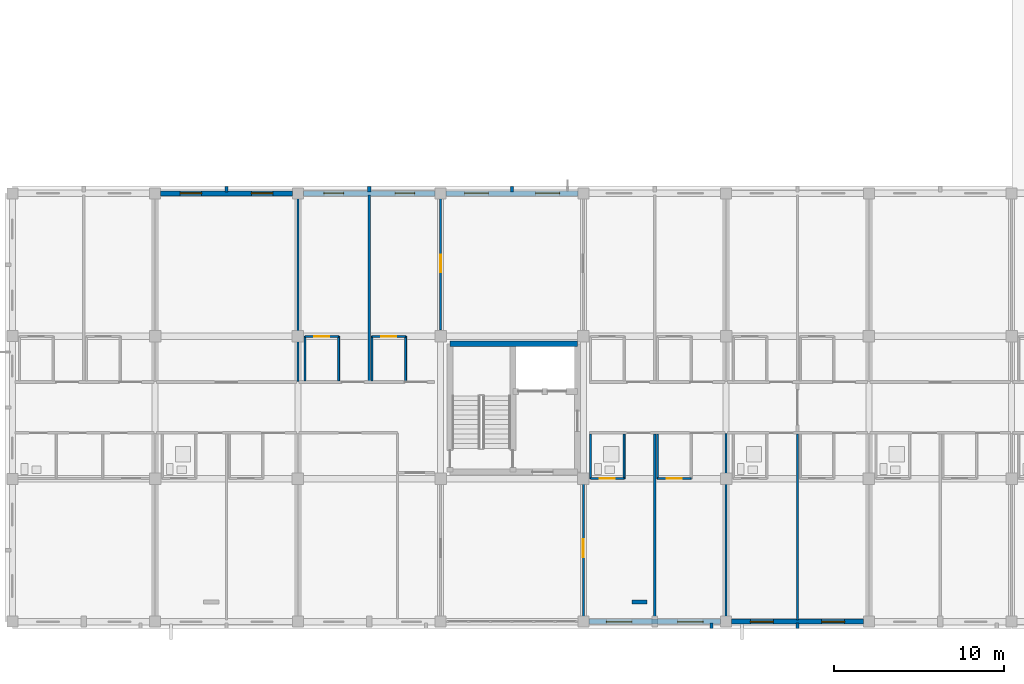
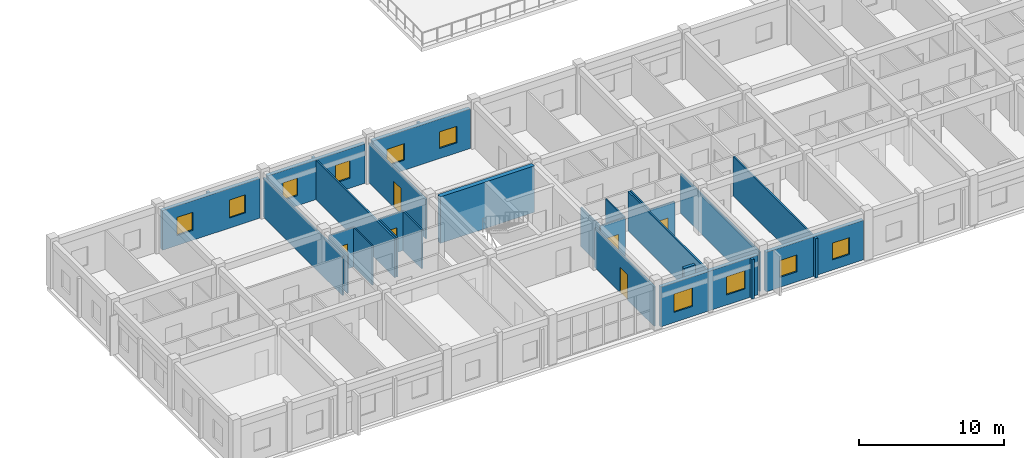
# One storey, part 61 of 90: 30 walls, 10 windows, 6 doors, 16 openings.
"""IFC4 building model written with IfcOpenShell, lengths in metres."""

from ifc_helpers import new_model, si_unit, direction, frame, frame_2d, origin, place, context, subcontext, project, spatial, rectangle, extrude, material, layer, layer_set, type_object, element, fill, save


model = new_model("IFC4")

# Units and contexts
model_context = context("Model", 3, precision=1e-05, world=origin(), true_north=direction((0.0, 1.0)))
body_context = subcontext(model_context, "Body", "Model", "MODEL_VIEW")
ifc_project = project(units=[si_unit("LENGTHUNIT", "METRE"), si_unit("AREAUNIT", "SQUARE_METRE"), si_unit("VOLUMEUNIT", "CUBIC_METRE"), si_unit("PLANEANGLEUNIT", "RADIAN"), si_unit("MASSUNIT", "GRAM", prefix="KILO")], contexts=[model_context])

# Site, building, storey
site_placement = place(None, origin())
site = spatial("IfcSite", under=ifc_project, at=site_placement, CompositionType="ELEMENT")
building_placement = place(site_placement, origin())
building = spatial("IfcBuilding", under=site, at=building_placement, Name="Trelvath General Hospital", CompositionType="ELEMENT")
storey_placement = place(building_placement, frame((0.0, 0.0, 20.39990234375)))
storey = spatial("IfcBuildingStorey", under=building, at=storey_placement, Name="L05", CompositionType="ELEMENT", Elevation=20.39990234375)

# Walls
ifc_material_1 = material(Name="Precast concrete C40/50", Category="concrete")
ifc_layer_1 = layer(ifc_material_1, 0.199951171875)
ifc_layer_set_1 = layer_set([ifc_layer_1], Name="Precast concrete C40/50")
wall_type_1 = type_object("IfcWallType", Name="BriseSoleilRib 200", PredefinedType="ELEMENTEDWALL", material=ifc_layer_set_1)
for number, where, z_axis, x_axis, name in (
    (1, (29.39990234375, 25.27490234375, 0.0), (0.0, 0.0, 1.0), (0.0, 1.0, 0.0), "Precast Concrete Brise-Soleil Rib Fin L05-363"),
    (2, (37.800048828125, 25.27490234375, 0.0), (0.0, 0.0, 1.0), (0.0, 1.0, 0.0), "Precast Concrete Brise-Soleil Rib Fin L05-365"),
    (3, (46.199951171875, 25.27490234375, 0.0), (0.0, 0.0, 1.0), (0.0, 1.0, 0.0), "Precast Concrete Brise-Soleil Rib Fin L05-368"),
    (4, (57.936767578125, -0.074951171875, 0.0), (0.0, 0.0, 1.0), (0.0, -1.0, 0.0), "Precast Concrete Brise-Soleil Rib Fin L05-370"),
    (5, (63.0, -0.074951171875, 0.0), (0.0, 0.0, 1.0), (0.0, -1.0, 0.0), "Precast Concrete Brise-Soleil Rib Fin L05-374"),
):
    element("IfcWall", number, at=place(storey_placement, frame(where, z_axis=z_axis, x_axis=x_axis)), inside=storey, type_object=wall_type_1, Name=name, PredefinedType="ELEMENTEDWALL", context=body_context, shape_type="SweptSolid", body=[
        extrude(rectangle(XDim=0.340087890625, YDim=0.199951171875, at=frame_2d((0.169921875, 0.0))), origin(), (0.0, 0.0, 1.0), 3.320068359375),
    ])
ifc_material_2 = material(Name="Concrete C40/50", Category="concrete")
ifc_layer_2 = layer(ifc_material_2, 0.35009765625)
ifc_layer_set_2 = layer_set([ifc_layer_2], Name="Concrete C40/50")
wall_type_2 = type_object("IfcWallType", Name="CoreShearWall 350", PredefinedType="SHEAR", material=ifc_layer_set_2)
wall_1_placement = place(storey_placement, frame((42.550048828125, 16.35009765625, 0.0), z_axis=(0.0, 0.0, 1.0), x_axis=(1.0, 0.0, 0.0)))
element("IfcWall", 6, at=wall_1_placement, inside=storey, type_object=wall_type_2, Name="Core Shear Wall C4 N L05", PredefinedType="SHEAR", context=body_context, shape_type="SweptSolid", body=[
    extrude(rectangle(XDim=7.5, YDim=0.35009765625, at=frame_2d((3.75, 0.0))), origin(), (0.0, 0.0, 1.0), 3.920166015625),
])
ifc_material_3 = material(Name="Moisture-resistant tile partition")
ifc_layer_3 = layer(ifc_material_3, 0.110107421875)
ifc_layer_set_3 = layer_set([ifc_layer_3], Name="Moisture-resistant tile partition")
wall_type_3 = type_object("IfcWallType", Name="EnSuiteWetWall 110", PredefinedType="PARTITIONING", material=ifc_layer_set_3)
for number, where, z_axis, x_axis, name in (
    (7, (34.02001953125, 14.169921875, 0.0), (0.0, 0.0, 1.0), (0.0, 1.0, 0.0), "En-Suite W Wall N L05-1749"),
    (8, (36.0, 14.169921875, 0.0), (0.0, 0.0, 1.0), (0.0, 1.0, 0.0), "En-Suite E Wall N L05-1750"),
):
    element("IfcWall", number, at=place(storey_placement, frame(where, z_axis=z_axis, x_axis=x_axis)), inside=storey, type_object=wall_type_3, Name=name, PredefinedType="PARTITIONING", context=body_context, shape_type="SweptSolid", body=[
        extrude(rectangle(XDim=2.610107421875, YDim=0.110107421875, at=frame_2d((1.30517578125, 0.0))), origin(), (0.0, 0.0, 1.0), 3.320068359375),
    ])

# Wall, opening, door
wall_2_placement = place(storey_placement, frame((34.02001953125, 16.780029296875, 0.0), z_axis=(0.0, 0.0, 1.0), x_axis=(1.0, 0.0, 0.0)))
wall_2 = element("IfcWall", 9, at=wall_2_placement, inside=storey, type_object=wall_type_3, Name="En-Suite Bathroom N Partition L05-1751", PredefinedType="PARTITIONING", context=body_context, shape_type="SweptSolid", body=[
    extrude(rectangle(XDim=1.97998046875, YDim=0.110107421875, at=frame_2d((0.989990234375, 0.0))), origin(), (0.0, 0.0, 1.0), 3.320068359375),
])
opening_1_placement = place(wall_2_placement, frame((0.5400390625, 0.0, 0.0)))
opening_1 = element("IfcOpeningElement", 10, at=opening_1_placement, cuts=wall_2, Name="Opening D-5-1166", PredefinedType="OPENING", context=body_context, shape_type="SweptSolid", body=[
    extrude(rectangle(XDim=0.89990234375, YDim=2.10009765625, at=frame_2d((0.449951171875, 1.050048828125))), frame((0.0, 0.06494140625, 0.0), z_axis=(0.0, -1.0, 0.0), x_axis=(1.0, 0.0, 0.0)), (0.0, 0.0, 1.0), 0.130126953125),
])
ifc_material_4 = material(Name="Moisture-sealed timber leaf", Category="wood")
door_type_1 = type_object("IfcDoorType", Name="Door EnSuite 900x2100", OperationType="NOTDEFINED", PredefinedType="DOOR", material=ifc_material_4)
door_1_placement = place(opening_1_placement, origin())
door_1 = element("IfcDoor", 11, at=door_1_placement, inside=storey, type_object=door_type_1, Name="En-Suite Bathroom N Door L05-1166", OperationType="SINGLE_SWING_RIGHT", OverallHeight=2.10009765625, OverallWidth=0.89990234375, PredefinedType="DOOR", context=body_context, shape_type="SweptSolid", body=[
    extrude(rectangle(XDim=0.89990234375, YDim=2.10009765625, at=frame_2d((0.449951171875, 1.050048828125))), frame((0.0, 0.02490234375, 0.0), z_axis=(0.0, -1.0, 0.0), x_axis=(1.0, 0.0, 0.0)), (0.0, 0.0, 1.0), 0.050048828125),
])
fill(opening_1, door_1)

# Walls
for number, where, z_axis, x_axis, name in (
    (12, (37.9599609375, 14.169921875, 0.0), (0.0, 0.0, 1.0), (0.0, 1.0, 0.0), "En-Suite W Wall N L05-1752"),
    (13, (39.93994140625, 14.169921875, 0.0), (0.0, 0.0, 1.0), (0.0, 1.0, 0.0), "En-Suite E Wall N L05-1753"),
):
    element("IfcWall", number, at=place(storey_placement, frame(where, z_axis=z_axis, x_axis=x_axis)), inside=storey, type_object=wall_type_3, Name=name, PredefinedType="PARTITIONING", context=body_context, shape_type="SweptSolid", body=[
        extrude(rectangle(XDim=2.610107421875, YDim=0.110107421875, at=frame_2d((1.30517578125, 0.0))), origin(), (0.0, 0.0, 1.0), 3.320068359375),
    ])

# Wall, opening, door
wall_3_placement = place(storey_placement, frame((37.9599609375, 16.780029296875, 0.0), z_axis=(0.0, 0.0, 1.0), x_axis=(1.0, 0.0, 0.0)))
wall_3 = element("IfcWall", 14, at=wall_3_placement, inside=storey, type_object=wall_type_3, Name="En-Suite Bathroom N Partition L05-1754", PredefinedType="PARTITIONING", context=body_context, shape_type="SweptSolid", body=[
    extrude(rectangle(XDim=1.97998046875, YDim=0.110107421875, at=frame_2d((0.989990234375, 0.0))), origin(), (0.0, 0.0, 1.0), 3.320068359375),
])
opening_2_placement = place(wall_3_placement, frame((0.5400390625, 0.0, 0.0)))
opening_2 = element("IfcOpeningElement", 15, at=opening_2_placement, cuts=wall_3, Name="Opening D-5-1167", PredefinedType="OPENING", context=body_context, shape_type="SweptSolid", body=[
    extrude(rectangle(XDim=0.89990234375, YDim=2.10009765625, at=frame_2d((0.449951171875, 1.050048828125))), frame((0.0, 0.06494140625, 0.0), z_axis=(0.0, -1.0, 0.0), x_axis=(1.0, 0.0, 0.0)), (0.0, 0.0, 1.0), 0.130126953125),
])
door_2_placement = place(opening_2_placement, origin())
door_2 = element("IfcDoor", 16, at=door_2_placement, inside=storey, type_object=door_type_1, Name="En-Suite Bathroom N Door L05-1167", OperationType="SINGLE_SWING_LEFT", OverallHeight=2.10009765625, OverallWidth=0.89990234375, PredefinedType="DOOR", context=body_context, shape_type="SweptSolid", body=[
    extrude(rectangle(XDim=0.89990234375, YDim=2.10009765625, at=frame_2d((0.449951171875, 1.050048828125))), frame((0.0, 0.02490234375, 0.0), z_axis=(0.0, -1.0, 0.0), x_axis=(1.0, 0.0, 0.0)), (0.0, 0.0, 1.0), 0.050048828125),
])
fill(opening_2, door_2)

# Walls
for number, where, z_axis, x_axis, name in (
    (17, (50.820068359375, 8.419921875, 0.0), (0.0, 0.0, 1.0), (0.0, 1.0, 0.0), "En-Suite W Wall L05-1761"),
    (18, (52.800048828125, 8.419921875, 0.0), (0.0, 0.0, 1.0), (0.0, 1.0, 0.0), "En-Suite E Wall L05-1762"),
):
    element("IfcWall", number, at=place(storey_placement, frame(where, z_axis=z_axis, x_axis=x_axis)), inside=storey, type_object=wall_type_3, Name=name, PredefinedType="PARTITIONING", context=body_context, shape_type="SweptSolid", body=[
        extrude(rectangle(XDim=2.610107421875, YDim=0.110107421875, at=frame_2d((1.30517578125, 0.0))), origin(), (0.0, 0.0, 1.0), 3.320068359375),
    ])

# Wall, opening, door
wall_4_placement = place(storey_placement, frame((50.820068359375, 8.419921875, 0.0), z_axis=(0.0, 0.0, 1.0), x_axis=(1.0, 0.0, 0.0)))
wall_4 = element("IfcWall", 19, at=wall_4_placement, inside=storey, type_object=wall_type_3, Name="En-Suite Bathroom Partition L05-1763", PredefinedType="PARTITIONING", context=body_context, shape_type="SweptSolid", body=[
    extrude(rectangle(XDim=1.97998046875, YDim=0.110107421875, at=frame_2d((0.989990234375, 0.0))), origin(), (0.0, 0.0, 1.0), 3.320068359375),
])
opening_3_placement = place(wall_4_placement, frame((0.5400390625, 0.0, 0.0)))
opening_3 = element("IfcOpeningElement", 20, at=opening_3_placement, cuts=wall_4, Name="Opening D-5-1174", PredefinedType="OPENING", context=body_context, shape_type="SweptSolid", body=[
    extrude(rectangle(XDim=0.89990234375, YDim=2.10009765625, at=frame_2d((0.449951171875, 1.050048828125))), frame((0.0, 0.06494140625, 0.0), z_axis=(0.0, -1.0, 0.0), x_axis=(1.0, 0.0, 0.0)), (0.0, 0.0, 1.0), 0.130126953125),
])
door_3_placement = place(opening_3_placement, origin())
door_3 = element("IfcDoor", 21, at=door_3_placement, inside=storey, type_object=door_type_1, Name="En-Suite Bathroom Door L05-1174", OperationType="SINGLE_SWING_RIGHT", OverallHeight=2.10009765625, OverallWidth=0.89990234375, PredefinedType="DOOR", context=body_context, shape_type="SweptSolid", body=[
    extrude(rectangle(XDim=0.89990234375, YDim=2.10009765625, at=frame_2d((0.449951171875, 1.050048828125))), frame((0.0, 0.02490234375, 0.0), z_axis=(0.0, -1.0, 0.0), x_axis=(1.0, 0.0, 0.0)), (0.0, 0.0, 1.0), 0.050048828125),
])
fill(opening_3, door_3)

# Wall
wall_5_placement = place(storey_placement, frame((54.760009765625, 8.419921875, 0.0), z_axis=(0.0, 0.0, 1.0), x_axis=(0.0, 1.0, 0.0)))
element("IfcWall", 22, at=wall_5_placement, inside=storey, type_object=wall_type_3, Name="En-Suite W Wall L05-1764", PredefinedType="PARTITIONING", context=body_context, shape_type="SweptSolid", body=[
    extrude(rectangle(XDim=2.610107421875, YDim=0.110107421875, at=frame_2d((1.30517578125, 0.0))), origin(), (0.0, 0.0, 1.0), 3.320068359375),
])

# Wall, opening, door
wall_6_placement = place(storey_placement, frame((54.760009765625, 8.419921875, 0.0), z_axis=(0.0, 0.0, 1.0), x_axis=(1.0, 0.0, 0.0)))
wall_6 = element("IfcWall", 23, at=wall_6_placement, inside=storey, type_object=wall_type_3, Name="En-Suite Bathroom Partition L05-1766", PredefinedType="PARTITIONING", context=body_context, shape_type="SweptSolid", body=[
    extrude(rectangle(XDim=1.97998046875, YDim=0.110107421875, at=frame_2d((0.989990234375, 0.0))), origin(), (0.0, 0.0, 1.0), 3.320068359375),
])
opening_4_placement = place(wall_6_placement, frame((0.5400390625, 0.0, 0.0)))
opening_4 = element("IfcOpeningElement", 24, at=opening_4_placement, cuts=wall_6, Name="Opening D-5-1175", PredefinedType="OPENING", context=body_context, shape_type="SweptSolid", body=[
    extrude(rectangle(XDim=0.89990234375, YDim=2.10009765625, at=frame_2d((0.449951171875, 1.050048828125))), frame((0.0, 0.06494140625, 0.0), z_axis=(0.0, -1.0, 0.0), x_axis=(1.0, 0.0, 0.0)), (0.0, 0.0, 1.0), 0.130126953125),
])
door_4_placement = place(opening_4_placement, origin())
door_4 = element("IfcDoor", 25, at=door_4_placement, inside=storey, type_object=door_type_1, Name="En-Suite Bathroom Door L05-1175", OperationType="SINGLE_SWING_LEFT", OverallHeight=2.10009765625, OverallWidth=0.89990234375, PredefinedType="DOOR", context=body_context, shape_type="SweptSolid", body=[
    extrude(rectangle(XDim=0.89990234375, YDim=2.10009765625, at=frame_2d((0.449951171875, 1.050048828125))), frame((0.0, 0.02490234375, 0.0), z_axis=(0.0, -1.0, 0.0), x_axis=(1.0, 0.0, 0.0)), (0.0, 0.0, 1.0), 0.050048828125),
])
fill(opening_4, door_4)

# Wall, openings, windows
ifc_material_5 = material(Name="Concrete C35/45", Category="concrete")
ifc_layer_4 = layer(ifc_material_5, 0.2900390625)
ifc_layer_set_4 = layer_set([ifc_layer_4], Name="Concrete C35/45")
wall_type_4 = type_object("IfcWallType", Name="ExtBushHammeredWall 290", PredefinedType="SOLIDWALL", material=ifc_layer_set_4)
wall_7_placement = place(storey_placement, frame((25.52001953125, 25.199951171875, 0.0), z_axis=(0.0, 0.0, 1.0), x_axis=(1.0, 0.0, 0.0)))
wall_7 = element("IfcWall", 26, at=wall_7_placement, inside=storey, type_object=wall_type_4, Name="Exterior Concrete Wall L05-494", PredefinedType="SOLIDWALL", context=body_context, shape_type="SweptSolid", body=[
    extrude(rectangle(XDim=7.760009765625, YDim=0.2900390625, at=frame_2d((3.8798828125, 0.0))), origin(), (0.0, 0.0, 1.0), 3.340087890625),
])
opening_5_placement = place(wall_7_placement, frame((1.15478515625, 0.0, 0.85009765625)))
opening_5 = element("IfcOpeningElement", 27, at=opening_5_placement, cuts=wall_7, Name="Opening WN-5-815", PredefinedType="OPENING", context=body_context, shape_type="SweptSolid", body=[
    extrude(rectangle(XDim=1.260009765625, YDim=1.52001953125, at=frame_2d((0.6298828125, 0.760009765625))), frame((0.0, 0.155029296875, 0.0), z_axis=(0.0, -1.0, 0.0), x_axis=(1.0, 0.0, 0.0)), (0.0, 0.0, 1.0), 0.31005859375),
])
opening_6_placement = place(wall_7_placement, frame((5.34521484375, 0.0, 0.85009765625)))
opening_6 = element("IfcOpeningElement", 28, at=opening_6_placement, cuts=wall_7, Name="Opening WN-5-816", PredefinedType="OPENING", context=body_context, shape_type="SweptSolid", body=[
    extrude(rectangle(XDim=1.260009765625, YDim=1.52001953125, at=frame_2d((0.6298828125, 0.760009765625))), frame((0.0, 0.155029296875, 0.0), z_axis=(0.0, -1.0, 0.0), x_axis=(1.0, 0.0, 0.0)), (0.0, 0.0, 1.0), 0.31005859375),
])
ifc_material_6 = material(Name="Low-E laminated glass", Category="glass")
window_type_1 = type_object("IfcWindowType", Name="Window Oncology 1260x1520", PartitioningType="SINGLE_PANEL", PredefinedType="WINDOW", material=ifc_material_6)
window_1_placement = place(opening_5_placement, origin())
window_1 = element("IfcWindow", 29, at=window_1_placement, inside=storey, type_object=window_type_1, Name="Solar Reveal Window L05-815", OverallHeight=1.52001953125, OverallWidth=1.260009765625, PartitioningType="SINGLE_PANEL", PredefinedType="WINDOW", context=body_context, shape_type="SweptSolid", body=[
    extrude(rectangle(XDim=1.260009765625, YDim=1.52001953125, at=frame_2d((0.6298828125, 0.760009765625))), frame((0.0, 0.030029296875, 0.0), z_axis=(0.0, -1.0, 0.0), x_axis=(1.0, 0.0, 0.0)), (0.0, 0.0, 1.0), 0.06005859375),
])
fill(opening_5, window_1)
window_2_placement = place(opening_6_placement, origin())
window_2 = element("IfcWindow", 30, at=window_2_placement, inside=storey, type_object=window_type_1, Name="Solar Reveal Window L05-816", OverallHeight=1.52001953125, OverallWidth=1.260009765625, PartitioningType="SINGLE_PANEL", PredefinedType="WINDOW", context=body_context, shape_type="SweptSolid", body=[
    extrude(rectangle(XDim=1.260009765625, YDim=1.52001953125, at=frame_2d((0.6298828125, 0.760009765625))), frame((0.0, 0.030029296875, 0.0), z_axis=(0.0, -1.0, 0.0), x_axis=(1.0, 0.0, 0.0)), (0.0, 0.0, 1.0), 0.06005859375),
])
fill(opening_6, window_2)

wall_8_placement = place(storey_placement, frame((33.919921875, 25.199951171875, 0.0), z_axis=(0.0, 0.0, 1.0), x_axis=(1.0, 0.0, 0.0)))
wall_8 = element("IfcWall", 31, at=wall_8_placement, inside=storey, type_object=wall_type_4, Name="Exterior Concrete Wall L05-496", PredefinedType="SOLIDWALL", context=body_context, shape_type="SweptSolid", body=[
    extrude(rectangle(XDim=7.760009765625, YDim=0.2900390625, at=frame_2d((3.8798828125, 0.0))), origin(), (0.0, 0.0, 1.0), 3.340087890625),
])
opening_7_placement = place(wall_8_placement, frame((1.204833984375, 0.0, 0.85009765625)))
opening_7 = element("IfcOpeningElement", 32, at=opening_7_placement, cuts=wall_8, Name="Opening WN-5-819", PredefinedType="OPENING", context=body_context, shape_type="SweptSolid", body=[
    extrude(rectangle(XDim=1.159912109375, YDim=1.47998046875, at=frame_2d((0.580078125, 0.739990234375))), frame((0.0, 0.155029296875, 0.0), z_axis=(0.0, -1.0, 0.0), x_axis=(1.0, 0.0, 0.0)), (0.0, 0.0, 1.0), 0.31005859375),
])
opening_8_placement = place(wall_8_placement, frame((5.395263671875, 0.0, 0.85009765625)))
opening_8 = element("IfcOpeningElement", 33, at=opening_8_placement, cuts=wall_8, Name="Opening WN-5-820", PredefinedType="OPENING", context=body_context, shape_type="SweptSolid", body=[
    extrude(rectangle(XDim=1.159912109375, YDim=1.47998046875, at=frame_2d((0.580078125, 0.739990234375))), frame((0.0, 0.155029296875, 0.0), z_axis=(0.0, -1.0, 0.0), x_axis=(1.0, 0.0, 0.0)), (0.0, 0.0, 1.0), 0.31005859375),
])
ifc_material_7 = material(Name="Low-E laminated glass", Category="glass")
window_type_2 = type_object("IfcWindowType", Name="Window Cardiology 1160x1480", PartitioningType="SINGLE_PANEL", PredefinedType="WINDOW", material=ifc_material_7)
window_3_placement = place(opening_7_placement, origin())
window_3 = element("IfcWindow", 34, at=window_3_placement, inside=storey, type_object=window_type_2, Name="Solar Reveal Window L05-819", OverallHeight=1.47998046875, OverallWidth=1.159912109375, PartitioningType="SINGLE_PANEL", PredefinedType="WINDOW", context=body_context, shape_type="SweptSolid", body=[
    extrude(rectangle(XDim=1.159912109375, YDim=1.47998046875, at=frame_2d((0.580078125, 0.739990234375))), frame((0.0, 0.030029296875, 0.0), z_axis=(0.0, -1.0, 0.0), x_axis=(1.0, 0.0, 0.0)), (0.0, 0.0, 1.0), 0.06005859375),
])
fill(opening_7, window_3)
window_4_placement = place(opening_8_placement, origin())
window_4 = element("IfcWindow", 35, at=window_4_placement, inside=storey, type_object=window_type_2, Name="Solar Reveal Window L05-820", OverallHeight=1.47998046875, OverallWidth=1.159912109375, PartitioningType="SINGLE_PANEL", PredefinedType="WINDOW", context=body_context, shape_type="SweptSolid", body=[
    extrude(rectangle(XDim=1.159912109375, YDim=1.47998046875, at=frame_2d((0.580078125, 0.739990234375))), frame((0.0, 0.030029296875, 0.0), z_axis=(0.0, -1.0, 0.0), x_axis=(1.0, 0.0, 0.0)), (0.0, 0.0, 1.0), 0.06005859375),
])
fill(opening_8, window_4)

wall_9_placement = place(storey_placement, frame((42.320068359375, 25.199951171875, 0.0), z_axis=(0.0, 0.0, 1.0), x_axis=(1.0, 0.0, 0.0)))
wall_9 = element("IfcWall", 36, at=wall_9_placement, inside=storey, type_object=wall_type_4, Name="Exterior Concrete Wall L05-502", PredefinedType="SOLIDWALL", context=body_context, shape_type="SweptSolid", body=[
    extrude(rectangle(XDim=7.760009765625, YDim=0.2900390625, at=frame_2d((3.8798828125, 0.0))), origin(), (0.0, 0.0, 1.0), 3.340087890625),
])
opening_9_placement = place(wall_9_placement, frame((1.084716796875, 0.0, 0.85009765625)))
opening_9 = element("IfcOpeningElement", 37, at=opening_9_placement, cuts=wall_9, Name="Opening WN-5-829", PredefinedType="OPENING", context=body_context, shape_type="SweptSolid", body=[
    extrude(rectangle(XDim=1.39990234375, YDim=1.39990234375, at=frame_2d((0.699951171875, 0.699951171875))), frame((0.0, 0.155029296875, 0.0), z_axis=(0.0, -1.0, 0.0), x_axis=(1.0, 0.0, 0.0)), (0.0, 0.0, 1.0), 0.31005859375),
])
opening_10_placement = place(wall_9_placement, frame((5.275146484375, 0.0, 0.85009765625)))
opening_10 = element("IfcOpeningElement", 38, at=opening_10_placement, cuts=wall_9, Name="Opening WN-5-830", PredefinedType="OPENING", context=body_context, shape_type="SweptSolid", body=[
    extrude(rectangle(XDim=1.39990234375, YDim=1.39990234375, at=frame_2d((0.699951171875, 0.699951171875))), frame((0.0, 0.155029296875, 0.0), z_axis=(0.0, -1.0, 0.0), x_axis=(1.0, 0.0, 0.0)), (0.0, 0.0, 1.0), 0.31005859375),
])
ifc_material_8 = material(Name="Low-E laminated glass", Category="glass")
window_type_3 = type_object("IfcWindowType", Name="Window Surgical 1400x1400", PartitioningType="DOUBLE_PANEL_VERTICAL", PredefinedType="WINDOW", material=ifc_material_8)
window_5_placement = place(opening_9_placement, origin())
window_5 = element("IfcWindow", 39, at=window_5_placement, inside=storey, type_object=window_type_3, Name="Solar Reveal Window L05-829", OverallHeight=1.39990234375, OverallWidth=1.39990234375, PartitioningType="SINGLE_PANEL", PredefinedType="WINDOW", context=body_context, shape_type="SweptSolid", body=[
    extrude(rectangle(XDim=1.39990234375, YDim=1.39990234375, at=frame_2d((0.699951171875, 0.699951171875))), frame((0.0, 0.030029296875, 0.0), z_axis=(0.0, -1.0, 0.0), x_axis=(1.0, 0.0, 0.0)), (0.0, 0.0, 1.0), 0.06005859375),
])
fill(opening_9, window_5)
window_6_placement = place(opening_10_placement, origin())
window_6 = element("IfcWindow", 40, at=window_6_placement, inside=storey, type_object=window_type_3, Name="Solar Reveal Window L05-830", OverallHeight=1.39990234375, OverallWidth=1.39990234375, PartitioningType="SINGLE_PANEL", PredefinedType="WINDOW", context=body_context, shape_type="SweptSolid", body=[
    extrude(rectangle(XDim=1.39990234375, YDim=1.39990234375, at=frame_2d((0.699951171875, 0.699951171875))), frame((0.0, 0.030029296875, 0.0), z_axis=(0.0, -1.0, 0.0), x_axis=(1.0, 0.0, 0.0)), (0.0, 0.0, 1.0), 0.06005859375),
])
fill(opening_10, window_6)

wall_10_placement = place(storey_placement, frame((58.47998046875, 0.0, 0.0), z_axis=(0.0, 0.0, 1.0), x_axis=(-1.0, 0.0, 0.0)))
wall_10 = element("IfcWall", 41, at=wall_10_placement, inside=storey, type_object=wall_type_4, Name="Exterior Concrete Wall L05-504", PredefinedType="SOLIDWALL", context=body_context, shape_type="SweptSolid", body=[
    extrude(rectangle(XDim=7.760009765625, YDim=0.2900390625, at=frame_2d((3.8798828125, 0.0))), origin(), (0.0, 0.0, 1.0), 3.340087890625),
])
opening_11_placement = place(wall_10_placement, frame((1.034912109375, 0.0, 0.85009765625)))
opening_11 = element("IfcOpeningElement", 42, at=opening_11_placement, cuts=wall_10, Name="Opening WN-5-833", PredefinedType="OPENING", context=body_context, shape_type="SweptSolid", body=[
    extrude(rectangle(XDim=1.5, YDim=1.550048828125, at=frame_2d((0.75, 0.77490234375))), frame((0.0, 0.155029296875, 0.0), z_axis=(0.0, -1.0, 0.0), x_axis=(1.0, 0.0, 0.0)), (0.0, 0.0, 1.0), 0.31005859375),
])
opening_12_placement = place(wall_10_placement, frame((5.22509765625, 0.0, 0.85009765625)))
opening_12 = element("IfcOpeningElement", 43, at=opening_12_placement, cuts=wall_10, Name="Opening WN-5-834", PredefinedType="OPENING", context=body_context, shape_type="SweptSolid", body=[
    extrude(rectangle(XDim=1.5, YDim=1.550048828125, at=frame_2d((0.75, 0.77490234375))), frame((0.0, 0.155029296875, 0.0), z_axis=(0.0, -1.0, 0.0), x_axis=(1.0, 0.0, 0.0)), (0.0, 0.0, 1.0), 0.31005859375),
])
ifc_material_9 = material(Name="Low-E laminated glass", Category="glass")
window_type_4 = type_object("IfcWindowType", Name="Window Ortho 1500x1550", PartitioningType="DOUBLE_PANEL_VERTICAL", PredefinedType="WINDOW", material=ifc_material_9)
window_7_placement = place(opening_11_placement, origin())
window_7 = element("IfcWindow", 44, at=window_7_placement, inside=storey, type_object=window_type_4, Name="Solar Reveal Window L05-833", OverallHeight=1.550048828125, OverallWidth=1.5, PartitioningType="SINGLE_PANEL", PredefinedType="WINDOW", context=body_context, shape_type="SweptSolid", body=[
    extrude(rectangle(XDim=1.5, YDim=1.550048828125, at=frame_2d((0.75, 0.77490234375))), frame((0.0, 0.030029296875, 0.0), z_axis=(0.0, -1.0, 0.0), x_axis=(1.0, 0.0, 0.0)), (0.0, 0.0, 1.0), 0.06005859375),
])
fill(opening_11, window_7)
window_8_placement = place(opening_12_placement, origin())
window_8 = element("IfcWindow", 45, at=window_8_placement, inside=storey, type_object=window_type_4, Name="Solar Reveal Window L05-834", OverallHeight=1.550048828125, OverallWidth=1.5, PartitioningType="SINGLE_PANEL", PredefinedType="WINDOW", context=body_context, shape_type="SweptSolid", body=[
    extrude(rectangle(XDim=1.5, YDim=1.550048828125, at=frame_2d((0.75, 0.77490234375))), frame((0.0, 0.030029296875, 0.0), z_axis=(0.0, -1.0, 0.0), x_axis=(1.0, 0.0, 0.0)), (0.0, 0.0, 1.0), 0.06005859375),
])
fill(opening_12, window_8)

wall_11_placement = place(storey_placement, frame((66.8798828125, 0.0, 0.0), z_axis=(0.0, 0.0, 1.0), x_axis=(-1.0, 0.0, 0.0)))
wall_11 = element("IfcWall", 46, at=wall_11_placement, inside=storey, type_object=wall_type_4, Name="Exterior Concrete Wall L05-508", PredefinedType="SOLIDWALL", context=body_context, shape_type="SweptSolid", body=[
    extrude(rectangle(XDim=7.759765625, YDim=0.2900390625, at=frame_2d((3.8798828125, 0.0))), origin(), (0.0, 0.0, 1.0), 3.340087890625),
])
opening_13_placement = place(wall_11_placement, frame((1.104736328125, 0.0, 0.85009765625)))
opening_13 = element("IfcOpeningElement", 47, at=opening_13_placement, cuts=wall_11, Name="Opening WN-5-841", PredefinedType="OPENING", context=body_context, shape_type="SweptSolid", body=[
    extrude(rectangle(XDim=1.360107421875, YDim=1.419921875, at=frame_2d((0.68017578125, 0.7099609375))), frame((0.0, 0.155029296875, 0.0), z_axis=(0.0, -1.0, 0.0), x_axis=(1.0, 0.0, 0.0)), (0.0, 0.0, 1.0), 0.31005859375),
])
opening_14_placement = place(wall_11_placement, frame((5.295166015625, 0.0, 0.85009765625)))
opening_14 = element("IfcOpeningElement", 48, at=opening_14_placement, cuts=wall_11, Name="Opening WN-5-842", PredefinedType="OPENING", context=body_context, shape_type="SweptSolid", body=[
    extrude(rectangle(XDim=1.360107421875, YDim=1.419921875, at=frame_2d((0.68017578125, 0.7099609375))), frame((0.0, 0.155029296875, 0.0), z_axis=(0.0, -1.0, 0.0), x_axis=(1.0, 0.0, 0.0)), (0.0, 0.0, 1.0), 0.31005859375),
])
ifc_material_10 = material(Name="Low-E laminated glass", Category="glass")
window_type_5 = type_object("IfcWindowType", Name="Window Pathology 1360x1420", PartitioningType="DOUBLE_PANEL_VERTICAL", PredefinedType="WINDOW", material=ifc_material_10)
window_9_placement = place(opening_13_placement, origin())
window_9 = element("IfcWindow", 49, at=window_9_placement, inside=storey, type_object=window_type_5, Name="Solar Reveal Window L05-841", OverallHeight=1.419921875, OverallWidth=1.360107421875, PartitioningType="SINGLE_PANEL", PredefinedType="WINDOW", context=body_context, shape_type="SweptSolid", body=[
    extrude(rectangle(XDim=1.360107421875, YDim=1.419921875, at=frame_2d((0.68017578125, 0.7099609375))), frame((0.0, 0.030029296875, 0.0), z_axis=(0.0, -1.0, 0.0), x_axis=(1.0, 0.0, 0.0)), (0.0, 0.0, 1.0), 0.06005859375),
])
fill(opening_13, window_9)
window_10_placement = place(opening_14_placement, origin())
window_10 = element("IfcWindow", 50, at=window_10_placement, inside=storey, type_object=window_type_5, Name="Solar Reveal Window L05-842", OverallHeight=1.419921875, OverallWidth=1.360107421875, PartitioningType="SINGLE_PANEL", PredefinedType="WINDOW", context=body_context, shape_type="SweptSolid", body=[
    extrude(rectangle(XDim=1.360107421875, YDim=1.419921875, at=frame_2d((0.68017578125, 0.7099609375))), frame((0.0, 0.030029296875, 0.0), z_axis=(0.0, -1.0, 0.0), x_axis=(1.0, 0.0, 0.0)), (0.0, 0.0, 1.0), 0.06005859375),
])
fill(opening_14, window_10)

# Walls
ifc_material_11 = material(Name="Masonry service chase blockwork", Category="masonry")
ifc_layer_5 = layer(ifc_material_11, 0.239990234375)
ifc_layer_set_5 = layer_set([ifc_layer_5], Name="Masonry service chase blockwork")
wall_type_5 = type_object("IfcWallType", Name="PlumbingChaseWall 240", PredefinedType="PLUMBINGWALL", material=ifc_layer_set_5)
wall_12_placement = place(storey_placement, frame((53.25, 1.14990234375, 0.0), z_axis=(0.0, 0.0, 1.0), x_axis=(1.0, 0.0, 0.0)))
element("IfcWall", 51, at=wall_12_placement, inside=storey, type_object=wall_type_5, Name="Medical Gas Plumbing Chase L05-1767", PredefinedType="PLUMBINGWALL", context=body_context, shape_type="SweptSolid", body=[
    extrude(rectangle(XDim=0.89990234375, YDim=0.239990234375, at=frame_2d((0.449951171875, 0.0))), origin(), (0.0, 0.0, 1.0), 3.320068359375),
])
ifc_material_12 = material(Name="Gypsum acoustic steel-stud partition", Category="steel")
ifc_layer_6 = layer(ifc_material_12, 0.1298828125)
ifc_layer_set_6 = layer_set([ifc_layer_6], Name="Gypsum acoustic steel-stud partition")
wall_type_6 = type_object("IfcWallType", Name="WardPartition 130", PredefinedType="PARTITIONING", material=ifc_layer_set_6)
wall_13_placement = place(storey_placement, frame((33.60009765625, 14.1201171875, 0.0), z_axis=(0.0, 0.0, 1.0), x_axis=(0.0, 1.0, 0.0)))
element("IfcWall", 52, at=wall_13_placement, inside=storey, type_object=wall_type_6, Name="Inter-Bay Ward Partition N L05-1743", PredefinedType="PARTITIONING", context=body_context, shape_type="SweptSolid", body=[
    extrude(rectangle(XDim=10.93994140625, YDim=0.1298828125, at=frame_2d((5.469970703125, 0.0))), origin(), (0.0, 0.0, 1.0), 3.320068359375),
])
wall_14_placement = place(storey_placement, frame((37.800048828125, 14.169921875, 0.0), z_axis=(0.0, 0.0, 1.0), x_axis=(0.0, 1.0, 0.0)))
element("IfcWall", 53, at=wall_14_placement, inside=storey, type_object=wall_type_6, Name="Room Dividing Partition N L05-1748", PredefinedType="PARTITIONING", context=body_context, shape_type="SweptSolid", body=[
    extrude(rectangle(XDim=10.93017578125, YDim=0.1298828125, at=frame_2d((5.465087890625, 0.0))), origin(), (0.0, 0.0, 1.0), 3.320068359375),
])

# Wall, opening, door
wall_15_placement = place(storey_placement, frame((42.0, 17.14990234375, 0.0), z_axis=(0.0, 0.0, 1.0), x_axis=(0.0, 1.0, 0.0)))
wall_15 = element("IfcWall", 54, at=wall_15_placement, inside=storey, type_object=wall_type_6, Name="Inter-Bay Ward Partition N L05-1756", PredefinedType="PARTITIONING", context=body_context, shape_type="SweptSolid", body=[
    extrude(rectangle(XDim=7.91015625, YDim=0.1298828125, at=frame_2d((3.955078125, 0.0))), origin(), (0.0, 0.0, 1.0), 3.320068359375),
])
opening_15_placement = place(wall_15_placement, frame((3.39990234375, 0.0, 0.0)))
opening_15 = element("IfcOpeningElement", 55, at=opening_15_placement, cuts=wall_15, Name="Opening D-5-1169", PredefinedType="OPENING", context=body_context, shape_type="SweptSolid", body=[
    extrude(rectangle(XDim=1.050048828125, YDim=2.199951171875, at=frame_2d((0.52490234375, 1.10009765625))), frame((0.0, 0.074951171875, 0.0), z_axis=(0.0, -1.0, 0.0), x_axis=(1.0, 0.0, 0.0)), (0.0, 0.0, 1.0), 0.14990234375),
])
ifc_material_13 = material(Name="Acoustic hospital timber leaf", Category="wood")
door_type_2 = type_object("IfcDoorType", Name="Door Consult 1050x2200", OperationType="NOTDEFINED", PredefinedType="DOOR", material=ifc_material_13)
door_5_placement = place(opening_15_placement, origin())
door_5 = element("IfcDoor", 56, at=door_5_placement, inside=storey, type_object=door_type_2, Name="Consultation Connecting Door L05-1169", OperationType="SINGLE_SWING_LEFT", OverallHeight=2.199951171875, OverallWidth=1.050048828125, PredefinedType="DOOR", context=body_context, shape_type="SweptSolid", body=[
    extrude(rectangle(XDim=1.050048828125, YDim=2.199951171875, at=frame_2d((0.52490234375, 1.10009765625))), frame((0.0, 0.02490234375, 0.0), z_axis=(0.0, -1.0, 0.0), x_axis=(1.0, 0.0, 0.0)), (0.0, 0.0, 1.0), 0.050048828125),
])
fill(opening_15, door_5)

wall_16_placement = place(storey_placement, frame((50.39990234375, 0.139892578125, 0.0), z_axis=(0.0, 0.0, 1.0), x_axis=(0.0, 1.0, 0.0)))
wall_16 = element("IfcWall", 57, at=wall_16_placement, inside=storey, type_object=wall_type_6, Name="Inter-Bay Ward Partition S L05-1757", PredefinedType="PARTITIONING", context=body_context, shape_type="SweptSolid", body=[
    extrude(rectangle(XDim=8.210205078125, YDim=0.1298828125, at=frame_2d((4.10498046875, 0.0))), origin(), (0.0, 0.0, 1.0), 3.320068359375),
])
opening_16_placement = place(wall_16_placement, frame((3.639892578125, 0.0, 0.0)))
opening_16 = element("IfcOpeningElement", 58, at=opening_16_placement, cuts=wall_16, Name="Opening D-5-1170", PredefinedType="OPENING", context=body_context, shape_type="SweptSolid", body=[
    extrude(rectangle(XDim=1.080078125, YDim=2.14990234375, at=frame_2d((0.5400390625, 1.074951171875))), frame((0.0, 0.074951171875, 0.0), z_axis=(0.0, -1.0, 0.0), x_axis=(1.0, 0.0, 0.0)), (0.0, 0.0, 1.0), 0.14990234375),
])
ifc_material_14 = material(Name="Acoustic hospital timber leaf", Category="wood")
door_type_3 = type_object("IfcDoorType", Name="Door CleanSupply 1080x2150", OperationType="NOTDEFINED", PredefinedType="DOOR", material=ifc_material_14)
door_6_placement = place(opening_16_placement, origin())
door_6 = element("IfcDoor", 59, at=door_6_placement, inside=storey, type_object=door_type_3, Name="Clean Supply Connecting Door L05-1170", OperationType="SINGLE_SWING_RIGHT", OverallHeight=2.14990234375, OverallWidth=1.080078125, PredefinedType="DOOR", context=body_context, shape_type="SweptSolid", body=[
    extrude(rectangle(XDim=1.080078125, YDim=2.14990234375, at=frame_2d((0.5400390625, 1.074951171875))), frame((0.0, 0.02490234375, 0.0), z_axis=(0.0, -1.0, 0.0), x_axis=(1.0, 0.0, 0.0)), (0.0, 0.0, 1.0), 0.050048828125),
])
fill(opening_16, door_6)

# Walls
wall_17_placement = place(storey_placement, frame((54.60009765625, 0.10009765625, 0.0), z_axis=(0.0, 0.0, 1.0), x_axis=(0.0, 1.0, 0.0)))
element("IfcWall", 60, at=wall_17_placement, inside=storey, type_object=wall_type_6, Name="Room Dividing Partition S L05-1760", PredefinedType="PARTITIONING", context=body_context, shape_type="SweptSolid", body=[
    extrude(rectangle(XDim=10.929931640625, YDim=0.1298828125, at=frame_2d((5.46484375, 0.0))), origin(), (0.0, 0.0, 1.0), 3.320068359375),
])
wall_18_placement = place(storey_placement, frame((58.800048828125, 0.139892578125, 0.0), z_axis=(0.0, 0.0, 1.0), x_axis=(0.0, 1.0, 0.0)))
element("IfcWall", 61, at=wall_18_placement, inside=storey, type_object=wall_type_6, Name="Inter-Bay Ward Partition S L05-1776", PredefinedType="PARTITIONING", context=body_context, shape_type="SweptSolid", body=[
    extrude(rectangle(XDim=10.940185546875, YDim=0.1298828125, at=frame_2d((5.47021484375, 0.0))), origin(), (0.0, 0.0, 1.0), 3.320068359375),
])
wall_19_placement = place(storey_placement, frame((63.0, 0.10009765625, 0.0), z_axis=(0.0, 0.0, 1.0), x_axis=(0.0, 1.0, 0.0)))
element("IfcWall", 62, at=wall_19_placement, inside=storey, type_object=wall_type_6, Name="Room Dividing Partition S L05-1779", PredefinedType="PARTITIONING", context=body_context, shape_type="SweptSolid", body=[
    extrude(rectangle(XDim=10.929931640625, YDim=0.1298828125, at=frame_2d((5.46484375, 0.0))), origin(), (0.0, 0.0, 1.0), 3.320068359375),
])

save(model, "model.ifc")
